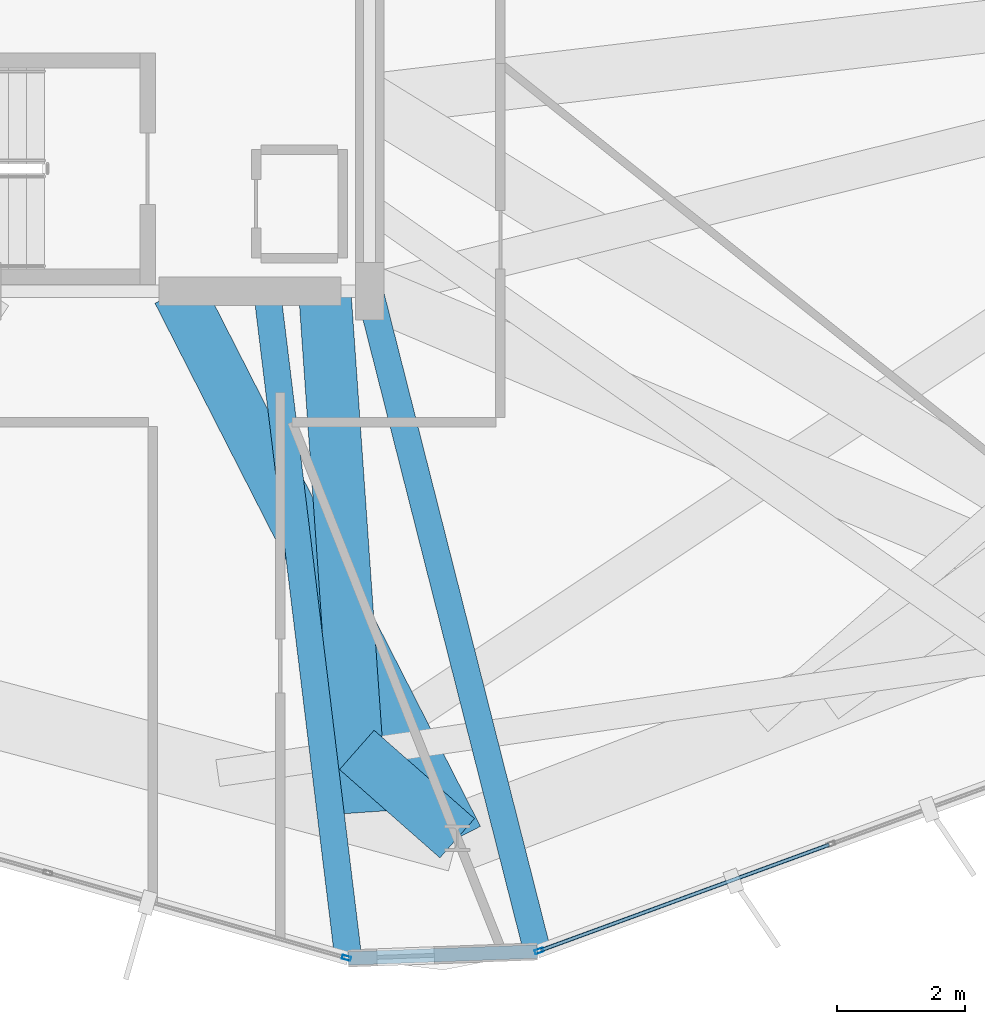
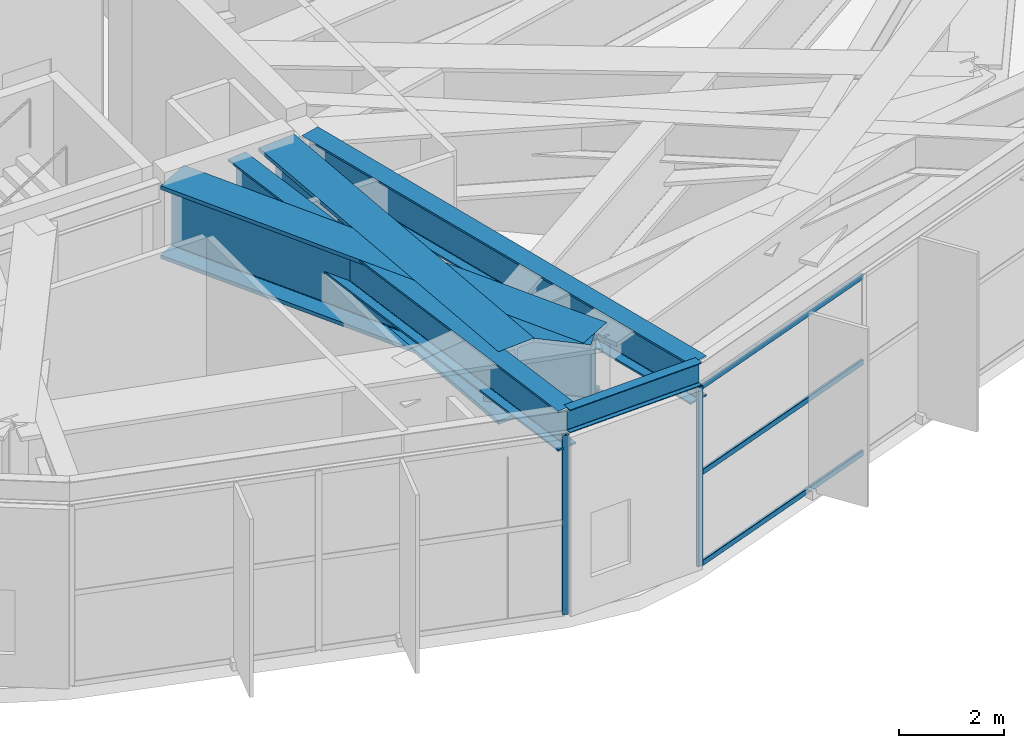
# One storey, part 7 of 30: 6 beams, 5 members, 2 elements without a shape of their own.
"""IFC4 building model written with IfcOpenShell, lengths in metres."""

from ifc_helpers import new_model, si_unit, direction, frame, origin, origin_2d, place, context, subcontext, project, spatial, hollow_rectangle, i_section, extrude, material, layer, layer_set, material_profile, profile_set, type_object, element, aggregate, save


model = new_model("IFC4")

# Units and contexts
model_context = context("Model", 3, precision=1e-05, world=origin(), true_north=direction((0.0, 1.0)))
body_context = subcontext(model_context, "Body", "Model", "MODEL_VIEW")
ifc_project = project(units=[si_unit("LENGTHUNIT", "METRE"), si_unit("AREAUNIT", "SQUARE_METRE"), si_unit("VOLUMEUNIT", "CUBIC_METRE"), si_unit("PLANEANGLEUNIT", "RADIAN"), si_unit("MASSUNIT", "GRAM", prefix="KILO")], contexts=[model_context])

# Site, building, storey
site_placement = place(None, origin())
site = spatial("IfcSite", under=ifc_project, at=site_placement, CompositionType="ELEMENT")
building_placement = place(site_placement, origin())
building = spatial("IfcBuilding", under=site, at=building_placement, Name="Soratama Intermodal Tower", CompositionType="ELEMENT")
storey_placement = place(building_placement, frame((0.0, 0.0, 237.39990234375)))
storey = spatial("IfcBuildingStorey", under=building, at=storey_placement, Name="L60", CompositionType="ELEMENT", Elevation=237.39990234375)

# Beams
ifc_material_1 = material(Name="Structural steel ASTM A992 Grade 50", Category="steel")
ifc_material_profile_1 = material_profile(ifc_material_1, i_section(OverallWidth=0.423095703125, OverallDepth=0.93896484375, WebThickness=0.02392578125, FlangeThickness=0.042724609375, FilletRadius=0.02392578125, at=origin_2d()), Name="W36X302")
ifc_profile_set_1 = profile_set([ifc_material_profile_1], Name="Structural steel ASTM A992 Grade 50")
beam_type_1 = type_object("IfcBeamType", Name="BM-POD-W36X302", PredefinedType="BEAM", material=ifc_profile_set_1)
beam_1_placement = place(storey_placement, frame((42.9970703125, 14.9599609375, 4.33056640625), z_axis=(0.120907912126, -0.992663727949, 0.0), x_axis=(0.992663727949, 0.120907912126, 0.0)))
element("IfcBeam", 1, at=beam_1_placement, inside=storey, type_object=beam_type_1, Name="BM-L60-TIE1-06", PredefinedType="BEAM", context=body_context, shape_type="SweptSolid", body=[
    extrude(i_section(OverallWidth=0.423095703125, OverallDepth=0.93896484375, WebThickness=0.02392578125, FlangeThickness=0.042724609375, FilletRadius=0.02392578125, at=origin_2d()), origin(), (0.0, 0.0, 1.0), 10.495849609375),
])
beam_2_placement = place(storey_placement, frame((44.610107421875, 14.965087890625, 4.33056640625), z_axis=(0.246166502362, -0.969227554868, 0.0), x_axis=(0.969227554868, 0.246166502362, 0.0)))
element("IfcBeam", 2, at=beam_2_placement, inside=storey, type_object=beam_type_1, Name="BM-L60-TIE0-07", PredefinedType="BEAM", context=body_context, shape_type="SweptSolid", body=[
    extrude(i_section(OverallWidth=0.423095703125, OverallDepth=0.93896484375, WebThickness=0.02392578125, FlangeThickness=0.042724609375, FilletRadius=0.02392578125, at=origin_2d()), origin(), (0.0, 0.0, 1.0), 10.642578125),
])
ifc_material_2 = material(Name="Structural steel ASTM A992 Grade 50", Category="steel")
ifc_material_profile_2 = material_profile(ifc_material_2, i_section(OverallWidth=0.2099609375, OverallDepth=0.537109375, WebThickness=0.010986328125, FlangeThickness=0.017333984375, FilletRadius=0.012939453125, at=origin_2d()), Name="W21X68")
ifc_profile_set_2 = profile_set([ifc_material_profile_2], Name="Structural steel ASTM A992 Grade 50")
beam_type_2 = type_object("IfcBeamType", Name="BM-SPN-W21X68", PredefinedType="SPANDREL", material=ifc_profile_set_2)
beam_3_placement = place(storey_placement, frame((44.26611328125, 4.541015625, 4.531494140625), z_axis=(0.999325839971, 0.036713288684, 0.0), x_axis=(-0.036713288684, 0.999325839971, 0.0)))
element("IfcBeam", 3, at=beam_3_placement, inside=storey, type_object=beam_type_2, Name="BS-L60-CRN06", PredefinedType="SPANDREL", context=body_context, shape_type="SweptSolid", body=[
    extrude(i_section(OverallWidth=0.2099609375, OverallDepth=0.537109375, WebThickness=0.010986328125, FlangeThickness=0.017333984375, FilletRadius=0.012939453125, at=origin_2d()), origin(), (0.0, 0.0, 1.0), 2.9658203125),
])
ifc_material_3 = material(Name="Structural steel ASTM A992 Grade 50", Category="steel")
ifc_material_profile_3 = material_profile(ifc_material_3, i_section(OverallWidth=0.820068359375, OverallDepth=1.699951171875, WebThickness=0.053955078125, FlangeThickness=0.087890625, FilletRadius=0.02392578125, at=origin_2d()), Name="PG1580X800")
ifc_profile_set_3 = profile_set([ifc_material_profile_3], Name="Structural steel ASTM A992 Grade 50")
beam_type_3 = type_object("IfcBeamType", Name="BM-ZSTEP-PG1580", PredefinedType="BEAM", material=ifc_profile_set_3)
beam_4_placement = place(storey_placement, frame((44.468017578125, 6.8291015625, 3.9501953125), z_axis=(-0.069717600985, 0.997566767747, 0.0), x_axis=(-0.997566767747, -0.069717600985, 0.0)))
element("IfcBeam", 4, at=beam_4_placement, inside=storey, type_object=beam_type_3, Name="BM-L60-ZCHORD-08", PredefinedType="BEAM", context=body_context, shape_type="SweptSolid", body=[
    extrude(i_section(OverallWidth=0.820068359375, OverallDepth=1.699951171875, WebThickness=0.053955078125, FlangeThickness=0.087890625, FilletRadius=0.02392578125, at=origin_2d()), origin(), (0.0, 0.0, 1.0), 8.19091796875),
])
beam_5_placement = place(storey_placement, frame((41.60009765625, 15.0, 3.9501953125), z_axis=(0.454332323157, -0.890832273851, 0.0), x_axis=(0.890832273851, 0.454332323157, 0.0)))
element("IfcBeam", 5, at=beam_5_placement, inside=storey, type_object=beam_type_3, Name="BM-L60-RAD-08", PredefinedType="BEAM", context=body_context, shape_type="SweptSolid", body=[
    extrude(i_section(OverallWidth=0.820068359375, OverallDepth=1.699951171875, WebThickness=0.053955078125, FlangeThickness=0.087890625, FilletRadius=0.02392578125, at=origin_2d()), origin(), (0.0, 0.0, 1.0), 9.624755859375),
])
ifc_material_4 = material(Name="Structural steel ASTM A992 Grade 50", Category="steel")
ifc_material_profile_4 = material_profile(ifc_material_4, i_section(OverallWidth=0.820068359375, OverallDepth=1.60205078125, WebThickness=0.055908203125, FlangeThickness=0.092041015625, FilletRadius=0.02392578125, at=origin_2d()), Name="PG1600X650")
ifc_profile_set_4 = profile_set([ifc_material_profile_4], Name="Structural steel ASTM A992 Grade 50")
beam_type_4 = type_object("IfcBeamType", Name="BM-ZSTEP-PG1600", PredefinedType="BEAM", material=ifc_profile_set_4)
beam_6_placement = place(storey_placement, frame((45.972900390625, 6.426025390625, 3.9990234375), z_axis=(-0.750530931175, 0.6608353209, 0.0), x_axis=(-0.6608353209, -0.750530931175, 0.0)))
element("IfcBeam", 6, at=beam_6_placement, inside=storey, type_object=beam_type_4, Name="BM-L60-ZSTEP-A08", PredefinedType="BEAM", context=body_context, shape_type="SweptSolid", body=[
    extrude(i_section(OverallWidth=0.820068359375, OverallDepth=1.60205078125, WebThickness=0.055908203125, FlangeThickness=0.092041015625, FilletRadius=0.02392578125, at=origin_2d()), origin(), (0.0, 0.0, 1.0), 2.095947265625),
])

# Curtain wall, member
ifc_material_5 = material(Name="Double-glazed aluminium curtain wall", Category="aluminium")
ifc_layer = layer(ifc_material_5, 0.159912109375)
ifc_layer_set = layer_set([ifc_layer], Name="Double-glazed aluminium curtain wall")
curtain_wall_type = type_object("IfcCurtainWallType", Name="CW-SYS-5", PredefinedType="NOTDEFINED", material=ifc_layer_set)
curtain_wall_1_placement = place(storey_placement, origin())
curtain_wall_1 = element("IfcCurtainWall", 7, at=curtain_wall_1_placement, inside=storey, type_object=curtain_wall_type, Name="L60 Faceted Curtain Wall F06", PredefinedType="NOTDEFINED")
ifc_material_6 = material(Name="Anodised aluminium AA 6063-T6", Category="aluminium")
ifc_material_profile_5 = material_profile(ifc_material_6, hollow_rectangle(XDim=0.06494140625, YDim=0.139892578125, WallThickness=0.0048828125, InnerFilletRadius=0.0048828125, OuterFilletRadius=0.010009765625, at=origin_2d()), Name="CWM140X65X5")
ifc_profile_set_5 = profile_set([ifc_material_profile_5], Name="Anodised aluminium AA 6063-T6")
member_type_1 = type_object("IfcMemberType", Name="MT-CWM-5", PredefinedType="MULLION", material=ifc_profile_set_5)
member_1_placement = place(storey_placement, frame((44.237060546875, 4.549560546875, 0.0), z_axis=(0.0, 0.0, 1.0), x_axis=(0.273963449119, 0.96174010447, 0.0)))
member_1 = element("IfcMember", 8, at=member_1_placement, type_object=member_type_1, Name="CW-5 mullion 3", PredefinedType="MULLION", context=body_context, shape_type="SweptSolid", body=[
    extrude(hollow_rectangle(XDim=0.06494140625, YDim=0.139892578125, WallThickness=0.0048828125, InnerFilletRadius=0.0048828125, OuterFilletRadius=0.010009765625, at=origin_2d()), origin(), (0.0, 0.0, 1.0), 4.17919921875),
])
aggregate(curtain_wall_1, [member_1])

# Curtain wall, members
curtain_wall_2_placement = place(storey_placement, origin())
curtain_wall_2 = element("IfcCurtainWall", 9, at=curtain_wall_2_placement, inside=storey, type_object=curtain_wall_type, Name="L60 Faceted Curtain Wall F07", PredefinedType="NOTDEFINED")
member_2_placement = place(storey_placement, frame((47.2587890625, 4.660400390625, 0.0), z_axis=(0.0, 0.0, 1.0), x_axis=(-0.343664081803, 0.93909264659, 0.0)))
member_2 = element("IfcMember", 10, at=member_2_placement, type_object=member_type_1, Name="CW-5 mullion 1", PredefinedType="MULLION", context=body_context, shape_type="SweptSolid", body=[
    extrude(hollow_rectangle(XDim=0.06494140625, YDim=0.139892578125, WallThickness=0.0048828125, InnerFilletRadius=0.0048828125, OuterFilletRadius=0.010009765625, at=origin_2d()), origin(), (0.0, 0.0, 1.0), 4.17919921875),
])
ifc_material_7 = material(Name="Anodised aluminium AA 6063-T6", Category="aluminium")
ifc_material_profile_6 = material_profile(ifc_material_7, hollow_rectangle(XDim=0.06005859375, YDim=0.1298828125, WallThickness=0.0048828125, InnerFilletRadius=0.0048828125, OuterFilletRadius=0.010009765625, at=origin_2d()), Name="CWT130X60X5")
ifc_profile_set_6 = profile_set([ifc_material_profile_6], Name="Anodised aluminium AA 6063-T6")
member_type_2 = type_object("IfcMemberType", Name="TT-CWT-2", PredefinedType="USERDEFINED", material=ifc_profile_set_6)
member_3_placement = place(storey_placement, frame((47.286865234375, 4.670654296875, 0.030029296875), z_axis=(0.939093281625, 0.343662346506, 0.0), x_axis=(-0.343662346506, 0.939093281625, 0.0)))
member_3 = element("IfcMember", 11, at=member_3_placement, type_object=member_type_2, Name="CW-5 transom 1.1", ObjectType="TRANSOM", PredefinedType="USERDEFINED", context=body_context, shape_type="SweptSolid", body=[
    extrude(hollow_rectangle(XDim=0.06005859375, YDim=0.1298828125, WallThickness=0.0048828125, InnerFilletRadius=0.0048828125, OuterFilletRadius=0.010009765625, at=origin_2d()), origin(), (0.0, 0.0, 1.0), 4.808837890625),
])
member_4_placement = place(storey_placement, frame((47.286865234375, 4.670654296875, 2.150146484375), z_axis=(0.939093281625, 0.343662346506, 0.0), x_axis=(-0.343662346506, 0.939093281625, 0.0)))
member_4 = element("IfcMember", 12, at=member_4_placement, type_object=member_type_2, Name="CW-5 transom 1.2", ObjectType="TRANSOM", PredefinedType="USERDEFINED", context=body_context, shape_type="SweptSolid", body=[
    extrude(hollow_rectangle(XDim=0.06005859375, YDim=0.1298828125, WallThickness=0.0048828125, InnerFilletRadius=0.0048828125, OuterFilletRadius=0.010009765625, at=origin_2d()), origin(), (0.0, 0.0, 1.0), 4.808837890625),
])
member_5_placement = place(storey_placement, frame((47.286865234375, 4.670654296875, 4.149169921875), z_axis=(0.939093281625, 0.343662346506, 0.0), x_axis=(-0.343662346506, 0.939093281625, 0.0)))
member_5 = element("IfcMember", 13, at=member_5_placement, type_object=member_type_2, Name="CW-5 transom 1.3", ObjectType="TRANSOM", PredefinedType="USERDEFINED", context=body_context, shape_type="SweptSolid", body=[
    extrude(hollow_rectangle(XDim=0.06005859375, YDim=0.1298828125, WallThickness=0.0048828125, InnerFilletRadius=0.0048828125, OuterFilletRadius=0.010009765625, at=origin_2d()), origin(), (0.0, 0.0, 1.0), 4.808837890625),
])
aggregate(curtain_wall_2, [member_2, member_3, member_4, member_5])

save(model, "model.ifc")
